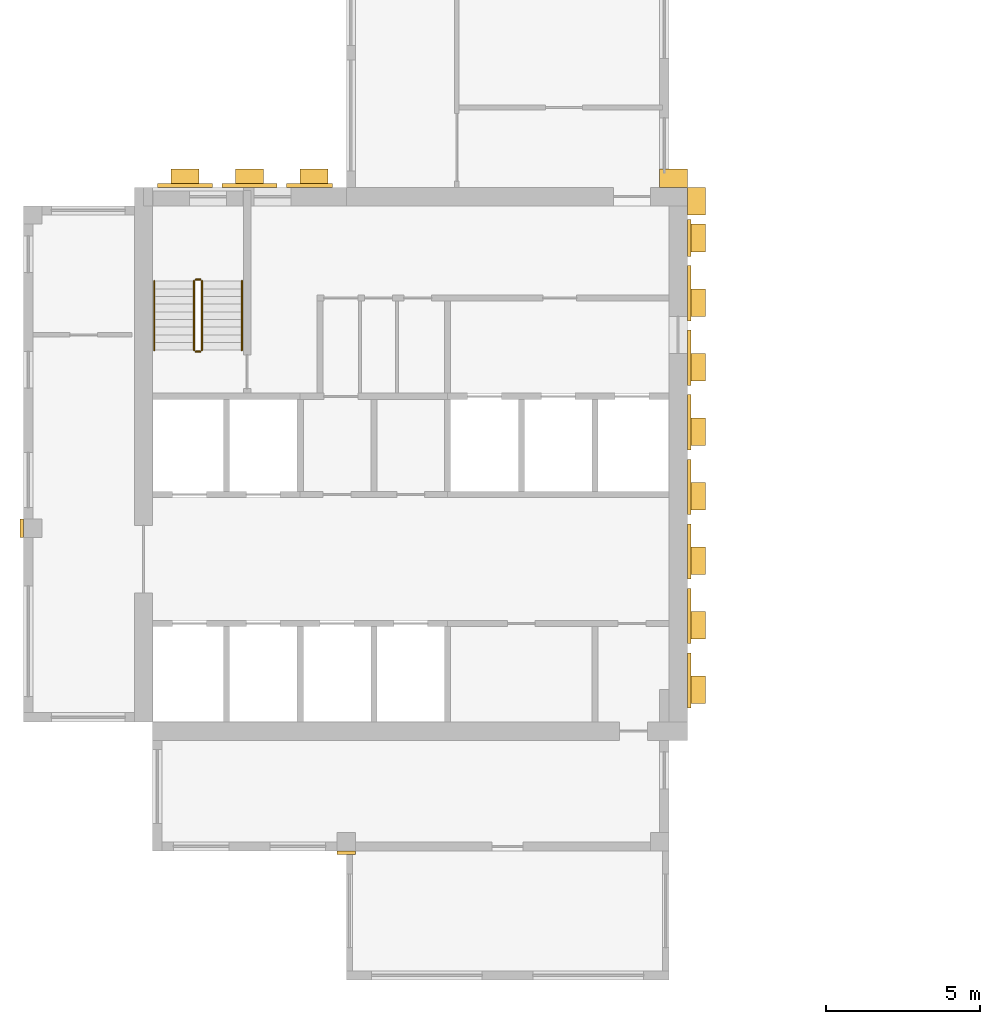
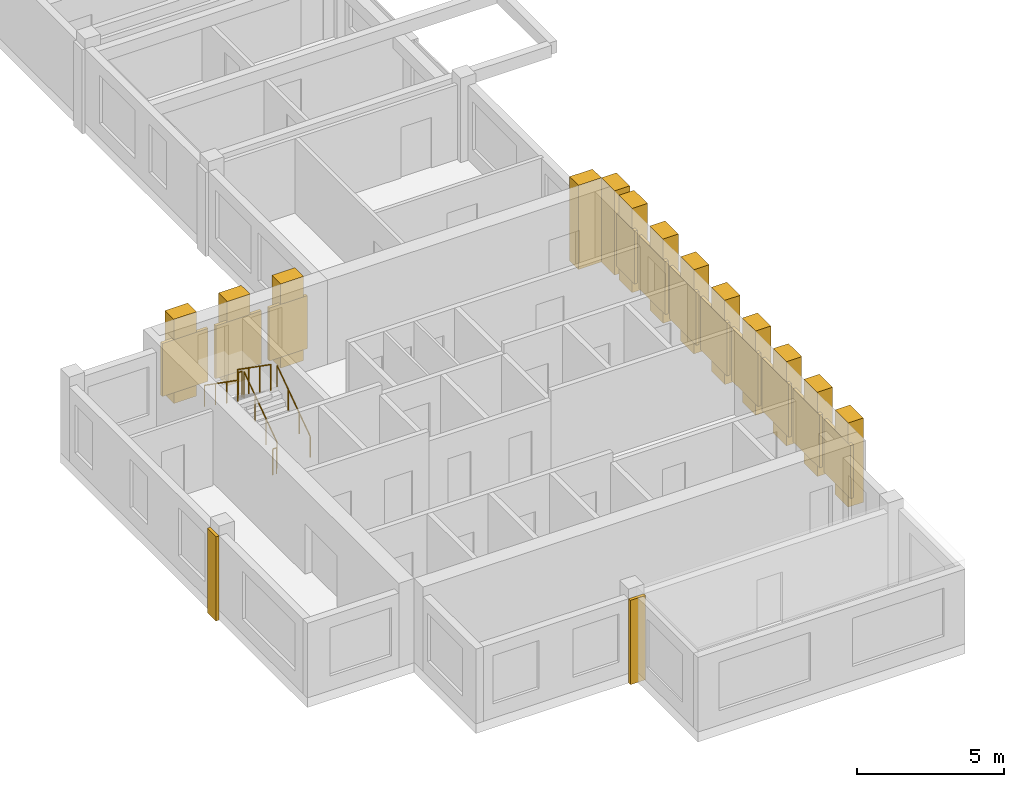
# One storey, part 5 of 7: 26 coverings, 6 railings.
"""IFC4 building model written with IfcOpenShell, lengths in metres."""

from ifc_helpers import new_model, si_unit, direction, frame, origin, origin_2d, place, context, subcontext, project, spatial, rectangle, circle, extrude, source, transform, mapped, material, type_object, element, save


model = new_model("IFC4")

# Units and contexts
model_context = context("Model", 3, precision=1e-05, world=origin(), true_north=direction((0.0, 1.0)))
body_context = subcontext(model_context, "Body", "Model", "MODEL_VIEW")
ifc_project = project(units=[si_unit("LENGTHUNIT", "METRE"), si_unit("AREAUNIT", "SQUARE_METRE"), si_unit("VOLUMEUNIT", "CUBIC_METRE"), si_unit("PLANEANGLEUNIT", "RADIAN"), si_unit("MASSUNIT", "GRAM", prefix="KILO")], contexts=[model_context])

# Site, building, storey
site_placement = place(None, origin())
site = spatial("IfcSite", under=ifc_project, at=site_placement, CompositionType="ELEMENT")
building_placement = place(site_placement, origin())
building = spatial("IfcBuilding", under=site, at=building_placement, Name="Aurelian Terraces", CompositionType="ELEMENT")
storey_placement = place(building_placement, frame((0.0, 0.0, 337.0)))
storey = spatial("IfcBuildingStorey", under=building, at=storey_placement, Name="L79", CompositionType="ELEMENT", Elevation=337.0)

# Coverings
ifc_material_1 = material(Name="Terracotta rainscreen cladding louvre blades", Category="masonry")
covering_type_1 = type_object("IfcCoveringType", Name="LOUVRE-TC", PredefinedType="CLADDING", material=ifc_material_1)
shared_shape_1 = source(origin(), body_context, "Body", "SweptSolid", [
    extrude(rectangle(XDim=0.12, YDim=1.8, at=origin_2d()), origin(), (0.0, 0.0, 1.0), 2.2),
])
for number, where, z_axis, x_axis, name in (
    (1, (21.66, 5.55, 0.45), (0.0, 0.0, 1.0), (1.0, 0.0, 0.0), "LOUVRE L79 core face E.1"),
    (2, (21.66, 7.65, 0.45), (0.0, 0.0, 1.0), (1.0, 0.0, 0.0), "LOUVRE L79 core face E.2"),
    (3, (21.66, 9.75, 0.45), (0.0, 0.0, 1.0), (1.0, 0.0, 0.0), "LOUVRE L79 core face E.3"),
    (4, (21.66, 11.85, 0.45), (0.0, 0.0, 1.0), (1.0, 0.0, 0.0), "LOUVRE L79 core face E.4"),
    (5, (21.66, 13.95, 0.45), (0.0, 0.0, 1.0), (1.0, 0.0, 0.0), "LOUVRE L79 core face E.5"),
    (6, (21.66, 16.05, 0.45), (0.0, 0.0, 1.0), (1.0, 0.0, 0.0), "LOUVRE L79 core face E.6"),
    (7, (21.66, 18.15, 0.45), (0.0, 0.0, 1.0), (1.0, 0.0, 0.0), "LOUVRE L79 core face E.7"),
):
    element("IfcCovering", number, at=place(storey_placement, frame(where, z_axis=z_axis, x_axis=x_axis)), inside=storey, type_object=covering_type_1, Name=name, PredefinedType="CLADDING", context=body_context, shape_type="MappedRepresentation", body=[
        mapped(shared_shape_1, transform((0.0, 0.0, 0.0), scale=1.0)),
    ])
shared_shape_2 = source(origin(), body_context, "Body", "SweptSolid", [
    extrude(rectangle(XDim=1.8, YDim=0.12, at=origin_2d()), origin(), (0.0, 0.0, 1.0), 2.2),
])
for number, where, z_axis, x_axis, name in (
    (8, (5.25, 21.66, 0.45), (0.0, 0.0, 1.0), (1.0, 0.0, 0.0), "LOUVRE L79 core face N.1"),
    (9, (7.35, 21.66, 0.45), (0.0, 0.0, 1.0), (1.0, 0.0, 0.0), "LOUVRE L79 core face N.2"),
):
    element("IfcCovering", number, at=place(storey_placement, frame(where, z_axis=z_axis, x_axis=x_axis)), inside=storey, type_object=covering_type_1, Name=name, PredefinedType="CLADDING", context=body_context, shape_type="MappedRepresentation", body=[
        mapped(shared_shape_2, transform((0.0, 0.0, 0.0), scale=1.0)),
    ])
shared_shape_3 = source(origin(), body_context, "Body", "SweptSolid", [
    extrude(rectangle(XDim=0.12, YDim=1.2, at=origin_2d()), origin(), (0.0, 0.0, 1.0), 2.2),
])
covering_1_placement = place(storey_placement, frame((21.66, 19.95, 0.45), z_axis=(0.0, 0.0, 1.0), x_axis=(1.0, 0.0, 0.0)))
element("IfcCovering", 10, at=covering_1_placement, inside=storey, type_object=covering_type_1, Name="LOUVRE L79 core face E.8", PredefinedType="CLADDING", context=body_context, shape_type="MappedRepresentation", body=[
    mapped(shared_shape_3, transform((0.0, 0.0, 0.0), scale=1.0)),
])
shared_shape_4 = source(origin(), body_context, "Body", "SweptSolid", [
    extrude(rectangle(XDim=1.5, YDim=0.12, at=origin_2d()), origin(), (0.0, 0.0, 1.0), 2.2),
])
covering_2_placement = place(storey_placement, frame((9.3, 21.66, 0.45), z_axis=(0.0, 0.0, 1.0), x_axis=(1.0, 0.0, 0.0)))
element("IfcCovering", 11, at=covering_2_placement, inside=storey, type_object=covering_type_1, Name="LOUVRE L79 core face N.3", PredefinedType="CLADDING", context=body_context, shape_type="MappedRepresentation", body=[
    mapped(shared_shape_4, transform((0.0, 0.0, 0.0), scale=1.0)),
])
ifc_material_2 = material(Name="Terracotta rainscreen cladding relief", Category="masonry")
covering_type_2 = type_object("IfcCoveringType", Name="BAGUETTE-TC", PredefinedType="CLADDING", material=ifc_material_2)
shared_shape_5 = source(origin(), body_context, "Body", "SweptSolid", [
    extrude(rectangle(XDim=0.6, YDim=0.12, at=origin_2d()), origin(), (0.0, 0.0, 1.0), 3.5),
])
covering_3_placement = place(storey_placement, frame((10.5, -0.06, -0.4), z_axis=(0.0, 0.0, 1.0), x_axis=(1.0, 0.0, 0.0)))
element("IfcCovering", 12, at=covering_3_placement, inside=storey, type_object=covering_type_2, Name="BAGUETTE pier L79 1", PredefinedType="CLADDING", context=body_context, shape_type="MappedRepresentation", body=[
    mapped(shared_shape_5, transform((0.0, 0.0, 0.0), scale=1.0)),
])
shared_shape_6 = source(origin(), body_context, "Body", "SweptSolid", [
    extrude(rectangle(XDim=0.12, YDim=0.6, at=origin_2d()), origin(), (0.0, 0.0, 1.0), 3.5),
])
covering_4_placement = place(storey_placement, frame((-0.06, 10.5, -0.4), z_axis=(0.0, 0.0, 1.0), x_axis=(1.0, 0.0, 0.0)))
element("IfcCovering", 13, at=covering_4_placement, inside=storey, type_object=covering_type_2, Name="BAGUETTE pier L79 3", PredefinedType="CLADDING", context=body_context, shape_type="MappedRepresentation", body=[
    mapped(shared_shape_6, transform((0.0, 0.0, 0.0), scale=1.0)),
])

# Railings
ifc_material_3 = material(Name="Stainless steel", Category="steel")
railing_type_1 = type_object("IfcRailingType", Name="Stair guard 1100", PredefinedType="GUARDRAIL", material=ifc_material_3)
shared_shape_7 = source(origin(), body_context, "Body", "SweptSolid", [
    extrude(circle(Radius=0.024, at=origin_2d()), frame((0.0, 0.0, 1.076), z_axis=(-1.0, 0.0, 0.0), x_axis=(0.0, -1.0, 0.0)), (0.0, 0.0, 1.0), 0.15),
    extrude(circle(Radius=0.021, at=origin_2d()), origin(), (0.0, 0.0, 1.0), 1.052),
    extrude(circle(Radius=0.021, at=origin_2d()), frame((-0.15, 0.0, 0.0)), (0.0, 0.0, 1.0), 1.052),
])
for number, where, name in (
    (14, (5.75, 18.6, 1.75), "L79 S1 stair guard 2"),
    (15, (5.75, 16.25, 0.0), "L79 S1 stair guard 4"),
):
    element("IfcRailing", number, at=place(storey_placement, frame(where)), inside=storey, type_object=railing_type_1, Name=name, PredefinedType="GUARDRAIL", context=body_context, shape_type="MappedRepresentation", body=[
        mapped(shared_shape_7, transform((0.0, 0.0, 0.0), scale=1.0)),
    ])
shared_shape_8 = source(origin(), body_context, "Body", "SweptSolid", [
    extrude(circle(Radius=0.024, at=origin_2d()), frame((0.0, 0.0, 1.076), z_axis=(0.0, 0.819231920519, 0.573462344363), x_axis=(-1.0, 0.0, 0.0)), (0.0, 0.0, 1.0), 2.7465),
    extrude(circle(Radius=0.021, at=origin_2d()), origin(), (0.0, 0.0, 1.0), 1.052),
    extrude(circle(Radius=0.021, at=origin_2d()), frame((0.0, 0.75, 0.525)), (0.0, 0.0, 1.0), 1.052),
    extrude(circle(Radius=0.021, at=origin_2d()), frame((0.0, 1.5, 1.05)), (0.0, 0.0, 1.0), 1.052),
    extrude(circle(Radius=0.021, at=origin_2d()), frame((0.0, 2.25, 1.575)), (0.0, 0.0, 1.0), 1.052),
])
railing_1_placement = place(storey_placement, frame((5.8, 16.3, 0.175)))
element("IfcRailing", 16, at=railing_1_placement, inside=storey, type_object=railing_type_1, Name="L79 S1 stair guard 1", PredefinedType="GUARDRAIL", context=body_context, shape_type="MappedRepresentation", body=[
    mapped(shared_shape_8, transform((0.0, 0.0, 0.0), scale=1.0)),
])
shared_shape_9 = source(origin(), body_context, "Body", "SweptSolid", [
    extrude(circle(Radius=0.024, at=origin_2d()), frame((0.0, 0.0, 1.076), z_axis=(0.0, -0.819231920519, 0.573462344363), x_axis=(1.0, 0.0, 0.0)), (0.0, 0.0, 1.0), 2.7465),
    extrude(circle(Radius=0.021, at=origin_2d()), origin(), (0.0, 0.0, 1.0), 1.052),
    extrude(circle(Radius=0.021, at=origin_2d()), frame((0.0, -0.75, 0.525)), (0.0, 0.0, 1.0), 1.052),
    extrude(circle(Radius=0.021, at=origin_2d()), frame((0.0, -1.5, 1.05)), (0.0, 0.0, 1.0), 1.052),
    extrude(circle(Radius=0.021, at=origin_2d()), frame((0.0, -2.25, 1.575)), (0.0, 0.0, 1.0), 1.052),
])
railing_2_placement = place(storey_placement, frame((5.55, 18.55, 1.925)))
element("IfcRailing", 17, at=railing_2_placement, inside=storey, type_object=railing_type_1, Name="L79 S1 stair guard 3", PredefinedType="GUARDRAIL", context=body_context, shape_type="MappedRepresentation", body=[
    mapped(shared_shape_9, transform((0.0, 0.0, 0.0), scale=1.0)),
])
railing_type_2 = type_object("IfcRailingType", Name="Stair handrail", PredefinedType="HANDRAIL", material=ifc_material_3)
shared_shape_10 = source(origin(), body_context, "Body", "SweptSolid", [
    extrude(circle(Radius=0.024, at=origin_2d()), frame((0.0, 0.0, 0.876), z_axis=(0.0, 0.819231920519, 0.573462344363), x_axis=(-1.0, 0.0, 0.0)), (0.0, 0.0, 1.0), 2.7465),
    extrude(circle(Radius=0.021, at=origin_2d()), origin(), (0.0, 0.0, 1.0), 0.852),
    extrude(circle(Radius=0.021, at=origin_2d()), frame((0.0, 0.75, 0.525)), (0.0, 0.0, 1.0), 0.852),
    extrude(circle(Radius=0.021, at=origin_2d()), frame((0.0, 1.5, 1.05)), (0.0, 0.0, 1.0), 0.852),
    extrude(circle(Radius=0.021, at=origin_2d()), frame((0.0, 2.25, 1.575)), (0.0, 0.0, 1.0), 0.852),
])
railing_3_placement = place(storey_placement, frame((7.1, 16.3, 0.175)))
element("IfcRailing", 18, at=railing_3_placement, inside=storey, type_object=railing_type_2, Name="L79 S1 stair handrail 1", PredefinedType="HANDRAIL", context=body_context, shape_type="MappedRepresentation", body=[
    mapped(shared_shape_10, transform((0.0, 0.0, 0.0), scale=1.0)),
])
shared_shape_11 = source(origin(), body_context, "Body", "SweptSolid", [
    extrude(circle(Radius=0.024, at=origin_2d()), frame((0.0, 0.0, 0.876), z_axis=(0.0, -0.819231920519, 0.573462344363), x_axis=(1.0, 0.0, 0.0)), (0.0, 0.0, 1.0), 2.7465),
    extrude(circle(Radius=0.021, at=origin_2d()), origin(), (0.0, 0.0, 1.0), 0.852),
    extrude(circle(Radius=0.021, at=origin_2d()), frame((0.0, -0.75, 0.525)), (0.0, 0.0, 1.0), 0.852),
    extrude(circle(Radius=0.021, at=origin_2d()), frame((0.0, -1.5, 1.05)), (0.0, 0.0, 1.0), 0.852),
    extrude(circle(Radius=0.021, at=origin_2d()), frame((0.0, -2.25, 1.575)), (0.0, 0.0, 1.0), 0.852),
])
railing_4_placement = place(storey_placement, frame((4.25, 18.55, 1.925)))
element("IfcRailing", 19, at=railing_4_placement, inside=storey, type_object=railing_type_2, Name="L79 S1 stair handrail 2", PredefinedType="HANDRAIL", context=body_context, shape_type="MappedRepresentation", body=[
    mapped(shared_shape_11, transform((0.0, 0.0, 0.0), scale=1.0)),
])

# Coverings
covering_type_3 = type_object("IfcCoveringType", Name="Core spine pier 900x600", PredefinedType="CLADDING", material=ifc_material_2)
shared_shape_12 = source(origin(), body_context, "Body", "SweptSolid", [
    extrude(rectangle(XDim=0.6, YDim=0.9, at=origin_2d()), origin(), (0.0, 0.0, 1.0), 3.5),
])
for number, where, z_axis, x_axis, name in (
    (20, (21.9, 5.25, 0.0), (0.0, 0.0, 1.0), (1.0, 0.0, 0.0), "Spine pier L79 E1"),
    (21, (21.9, 7.35, 0.0), (0.0, 0.0, 1.0), (1.0, 0.0, 0.0), "Spine pier L79 E2"),
    (22, (21.9, 9.45, 0.0), (0.0, 0.0, 1.0), (1.0, 0.0, 0.0), "Spine pier L79 E3"),
    (23, (21.9, 11.55, 0.0), (0.0, 0.0, 1.0), (1.0, 0.0, 0.0), "Spine pier L79 E4"),
    (24, (21.9, 13.65, 0.0), (0.0, 0.0, 1.0), (1.0, 0.0, 0.0), "Spine pier L79 E5"),
    (25, (21.9, 15.75, 0.0), (0.0, 0.0, 1.0), (1.0, 0.0, 0.0), "Spine pier L79 E6"),
    (26, (21.9, 17.85, 0.0), (0.0, 0.0, 1.0), (1.0, 0.0, 0.0), "Spine pier L79 E7"),
    (27, (21.9, 19.95, 0.0), (0.0, 0.0, 1.0), (1.0, 0.0, 0.0), "Spine pier L79 E8"),
    (28, (21.9, 21.15, 0.0), (0.0, 0.0, 1.0), (1.0, 0.0, 0.0), "Spine pier L79 corner east"),
):
    element("IfcCovering", number, at=place(storey_placement, frame(where, z_axis=z_axis, x_axis=x_axis)), inside=storey, type_object=covering_type_3, Name=name, PredefinedType="CLADDING", context=body_context, shape_type="MappedRepresentation", body=[
        mapped(shared_shape_12, transform((0.0, 0.0, 0.0), scale=1.0)),
    ])
shared_shape_13 = source(origin(), body_context, "Body", "SweptSolid", [
    extrude(rectangle(XDim=0.9, YDim=0.6, at=origin_2d()), origin(), (0.0, 0.0, 1.0), 3.5),
])
for number, where, z_axis, x_axis, name in (
    (29, (5.25, 21.9, 0.0), (0.0, 0.0, 1.0), (1.0, 0.0, 0.0), "Spine pier L79 N9"),
    (30, (7.35, 21.9, 0.0), (0.0, 0.0, 1.0), (1.0, 0.0, 0.0), "Spine pier L79 N10"),
    (31, (9.45, 21.9, 0.0), (0.0, 0.0, 1.0), (1.0, 0.0, 0.0), "Spine pier L79 N11"),
    (32, (21.15, 21.9, 0.0), (0.0, 0.0, 1.0), (1.0, 0.0, 0.0), "Spine pier L79 corner north"),
):
    element("IfcCovering", number, at=place(storey_placement, frame(where, z_axis=z_axis, x_axis=x_axis)), inside=storey, type_object=covering_type_3, Name=name, PredefinedType="CLADDING", context=body_context, shape_type="MappedRepresentation", body=[
        mapped(shared_shape_13, transform((0.0, 0.0, 0.0), scale=1.0)),
    ])

save(model, "model.ifc")
